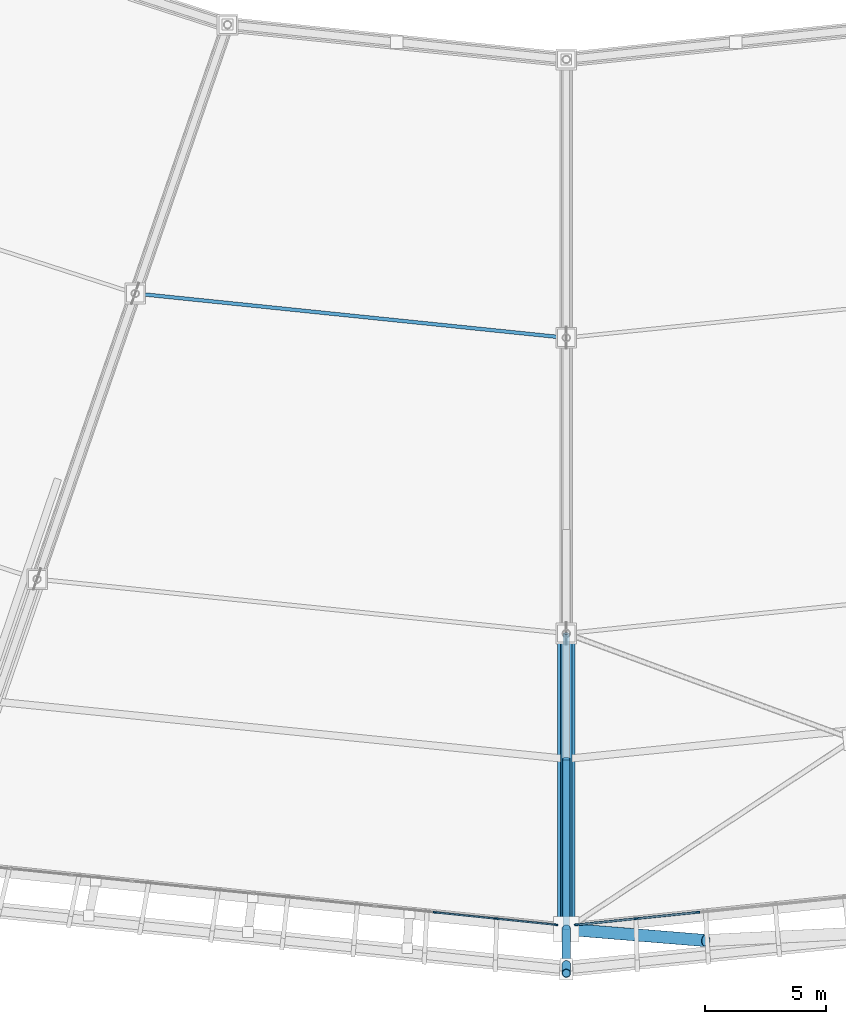
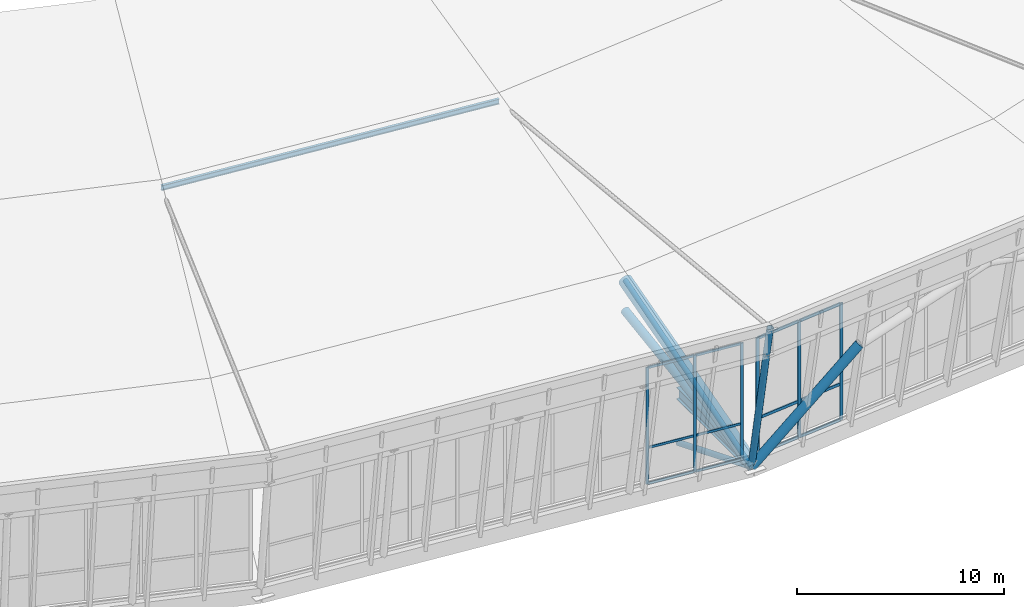
# One storey, part 16 of 115: 26 members, 1 beam, 2 elements without a shape of their own.
"""IFC4 building model written with IfcOpenShell, lengths in metres."""

from ifc_helpers import new_model, si_unit, direction, frame, origin, origin_2d, place, context, subcontext, project, spatial, rectangle, hollow_circle, i_section, extrude, material, material_profile, profile_set, type_object, element, aggregate, save


model = new_model("IFC4")

# Units and contexts
model_context = context("Model", 3, precision=1e-05, world=origin(), true_north=direction((0.0, 1.0)))
body_context = subcontext(model_context, "Body", "Model", "MODEL_VIEW")
ifc_project = project(units=[si_unit("LENGTHUNIT", "METRE"), si_unit("AREAUNIT", "SQUARE_METRE"), si_unit("VOLUMEUNIT", "CUBIC_METRE"), si_unit("PLANEANGLEUNIT", "RADIAN"), si_unit("MASSUNIT", "GRAM", prefix="KILO")], contexts=[model_context])

# Site, building, storey
site_placement = place(None, origin())
site = spatial("IfcSite", under=ifc_project, at=site_placement, CompositionType="ELEMENT")
building_placement = place(site_placement, origin())
building = spatial("IfcBuilding", under=site, at=building_placement, Name="Zlatoyarsky Gate Stadium", CompositionType="ELEMENT")
storey_placement = place(building_placement, frame((0.0, 0.0, 31.800048828125)))
storey = spatial("IfcBuildingStorey", under=building, at=storey_placement, Name="RF", CompositionType="ELEMENT", Elevation=31.800048828125)

# Curtain wall, members
ifc_material_1 = material(Name="Thermally broken anodised aluminium curtain wall", Category="aluminium")
curtain_wall_type_1 = type_object("IfcCurtainWallType", Name="MONUMENTAL ARCHED GATE GLAZING UPPER", PredefinedType="USERDEFINED", material=ifc_material_1)
curtain_wall_1_placement = place(storey_placement, origin())
curtain_wall_1 = element("IfcCurtainWall", 1, at=curtain_wall_1_placement, inside=storey, type_object=curtain_wall_type_1, Name="Curtain wall CW-RF-18", ObjectType="ARCHED GATE GLAZING", PredefinedType="USERDEFINED")
ifc_material_2 = material(Name="Anodised aluminium 6063-T6", Category="aluminium")
ifc_material_profile_1 = material_profile(ifc_material_2, rectangle(XDim=0.074951171875, YDim=0.18994140625, at=origin_2d()), Name="ALU 75X190")
ifc_profile_set_1 = profile_set([ifc_material_profile_1], Name="Anodised aluminium 6063-T6")
member_type_1 = type_object("IfcMemberType", Name="ALUMINIUM GATE MULLION 75X190", PredefinedType="MULLION", material=ifc_profile_set_1)
member_1_placement = place(storey_placement, frame((111.435302734375, 2.156982421875, 0.0), z_axis=(0.0, 0.0, 1.0), x_axis=(-0.102125168703, 0.994771556649, 0.0)))
member_1 = element("IfcMember", 2, at=member_1_placement, type_object=member_type_1, Name="CW-AG2 mullion 1", PredefinedType="MULLION", context=body_context, shape_type="SweptSolid", body=[
    extrude(rectangle(XDim=0.074951171875, YDim=0.18994140625, at=origin_2d()), origin(), (0.0, 0.0, 1.0), 6.89990234375),
])
member_2_placement = place(storey_placement, frame((113.903564453125, 2.410400390625, 0.0), z_axis=(0.0, 0.0, 1.0), x_axis=(-0.102125168703, 0.994771556649, 0.0)))
member_2 = element("IfcMember", 3, at=member_2_placement, type_object=member_type_1, Name="CW-AG2 mullion 2", PredefinedType="MULLION", context=body_context, shape_type="SweptSolid", body=[
    extrude(rectangle(XDim=0.074951171875, YDim=0.18994140625, at=origin_2d()), origin(), (0.0, 0.0, 1.0), 6.89990234375),
])
member_3_placement = place(storey_placement, frame((116.4091796875, 2.667724609375, 0.0), z_axis=(0.0, 0.0, 1.0), x_axis=(-0.102125168703, 0.994771556649, 0.0)))
member_3 = element("IfcMember", 4, at=member_3_placement, type_object=member_type_1, Name="CW-AG2 mullion 3", PredefinedType="MULLION", context=body_context, shape_type="SweptSolid", body=[
    extrude(rectangle(XDim=0.074951171875, YDim=0.18994140625, at=origin_2d()), origin(), (0.0, 0.0, 1.0), 6.89990234375),
])
ifc_material_profile_2 = material_profile(ifc_material_2, rectangle(XDim=0.074951171875, YDim=0.169921875, at=origin_2d()), Name="ALU 75X170")
ifc_profile_set_2 = profile_set([ifc_material_profile_2], Name="Anodised aluminium 6063-T6")
member_type_2 = type_object("IfcMemberType", Name="ALUMINIUM GATE TRANSOM 75X170", PredefinedType="USERDEFINED", material=ifc_profile_set_2)
member_4_placement = place(storey_placement, frame((111.472412109375, 2.160888671875, 0.037353515625), z_axis=(0.994777741442, 0.102064906465, 0.0), x_axis=(-0.102064906465, 0.994777741442, 0.0)))
member_4 = element("IfcMember", 5, at=member_4_placement, type_object=member_type_2, Name="CW-AG2 transom 1.1", ObjectType="TRANSOM", PredefinedType="USERDEFINED", context=body_context, shape_type="SweptSolid", body=[
    extrude(rectangle(XDim=0.074951171875, YDim=0.169921875, at=origin_2d()), origin(), (0.0, 0.0, 1.0), 2.40625),
])
member_5_placement = place(storey_placement, frame((111.472412109375, 2.160888671875, 2.14990234375), z_axis=(0.994777741442, 0.102064906465, 0.0), x_axis=(-0.102064906465, 0.994777741442, 0.0)))
member_5 = element("IfcMember", 6, at=member_5_placement, type_object=member_type_2, Name="CW-AG2 transom 1.2", ObjectType="TRANSOM", PredefinedType="USERDEFINED", context=body_context, shape_type="SweptSolid", body=[
    extrude(rectangle(XDim=0.074951171875, YDim=0.169921875, at=origin_2d()), origin(), (0.0, 0.0, 1.0), 2.40625),
])
member_6_placement = place(storey_placement, frame((111.472412109375, 2.160888671875, 6.862548828125), z_axis=(0.994777741442, 0.102064906465, 0.0), x_axis=(-0.102064906465, 0.994777741442, 0.0)))
member_6 = element("IfcMember", 7, at=member_6_placement, type_object=member_type_2, Name="CW-AG2 transom 1.3", ObjectType="TRANSOM", PredefinedType="USERDEFINED", context=body_context, shape_type="SweptSolid", body=[
    extrude(rectangle(XDim=0.074951171875, YDim=0.169921875, at=origin_2d()), origin(), (0.0, 0.0, 1.0), 2.40625),
])
member_7_placement = place(storey_placement, frame((113.94091796875, 2.414306640625, 0.037353515625), z_axis=(0.994774676967, 0.10209477002, 0.0), x_axis=(-0.10209477002, 0.994774676967, 0.0)))
member_7 = element("IfcMember", 8, at=member_7_placement, type_object=member_type_2, Name="CW-AG2 transom 2.1", ObjectType="TRANSOM", PredefinedType="USERDEFINED", context=body_context, shape_type="SweptSolid", body=[
    extrude(rectangle(XDim=0.074951171875, YDim=0.169921875, at=origin_2d()), origin(), (0.0, 0.0, 1.0), 2.44384765625),
])
member_8_placement = place(storey_placement, frame((113.94091796875, 2.414306640625, 2.14990234375), z_axis=(0.994774676967, 0.10209477002, 0.0), x_axis=(-0.10209477002, 0.994774676967, 0.0)))
member_8 = element("IfcMember", 9, at=member_8_placement, type_object=member_type_2, Name="CW-AG2 transom 2.2", ObjectType="TRANSOM", PredefinedType="USERDEFINED", context=body_context, shape_type="SweptSolid", body=[
    extrude(rectangle(XDim=0.074951171875, YDim=0.169921875, at=origin_2d()), origin(), (0.0, 0.0, 1.0), 2.44384765625),
])
member_9_placement = place(storey_placement, frame((113.94091796875, 2.414306640625, 6.862548828125), z_axis=(0.994774676967, 0.10209477002, 0.0), x_axis=(-0.10209477002, 0.994774676967, 0.0)))
member_9 = element("IfcMember", 10, at=member_9_placement, type_object=member_type_2, Name="CW-AG2 transom 2.3", ObjectType="TRANSOM", PredefinedType="USERDEFINED", context=body_context, shape_type="SweptSolid", body=[
    extrude(rectangle(XDim=0.074951171875, YDim=0.169921875, at=origin_2d()), origin(), (0.0, 0.0, 1.0), 2.44384765625),
])
aggregate(curtain_wall_1, [member_1, member_2, member_3, member_4, member_5, member_6, member_7, member_8, member_9])

curtain_wall_type_2 = type_object("IfcCurtainWallType", Name="UNITISED SKYBOX RING GLAZING L05", PredefinedType="USERDEFINED", material=ifc_material_1)
curtain_wall_2_placement = place(storey_placement, origin())
curtain_wall_2 = element("IfcCurtainWall", 11, at=curtain_wall_2_placement, inside=storey, type_object=curtain_wall_type_2, Name="Curtain wall CW-RF-17", ObjectType="UNITISED GLAZING", PredefinedType="USERDEFINED")
ifc_material_profile_3 = material_profile(ifc_material_2, rectangle(XDim=0.06494140625, YDim=0.159912109375, at=origin_2d()), Name="ALU 65X160")
ifc_profile_set_3 = profile_set([ifc_material_profile_3], Name="Anodised aluminium 6063-T6")
member_type_3 = type_object("IfcMemberType", Name="ALUMINIUM MULLION 65X160", PredefinedType="MULLION", material=ifc_profile_set_3)
member_10_placement = place(storey_placement, frame((105.5908203125, 2.667724609375, 0.0), z_axis=(0.0, 0.0, 1.0), x_axis=(0.102125168703, 0.994771556649, 0.0)))
member_10 = element("IfcMember", 12, at=member_10_placement, type_object=member_type_3, Name="CW-UG5 mullion 9", PredefinedType="MULLION", context=body_context, shape_type="SweptSolid", body=[
    extrude(rectangle(XDim=0.06494140625, YDim=0.159912109375, at=origin_2d()), origin(), (0.0, 0.0, 1.0), 6.89990234375),
])
member_11_placement = place(storey_placement, frame((108.096435546875, 2.410400390625, 0.0), z_axis=(0.0, 0.0, 1.0), x_axis=(0.102125168703, 0.994771556649, 0.0)))
member_11 = element("IfcMember", 13, at=member_11_placement, type_object=member_type_3, Name="CW-UG5 mullion 10", PredefinedType="MULLION", context=body_context, shape_type="SweptSolid", body=[
    extrude(rectangle(XDim=0.06494140625, YDim=0.159912109375, at=origin_2d()), origin(), (0.0, 0.0, 1.0), 6.89990234375),
])
member_12_placement = place(storey_placement, frame((110.56982421875, 2.156494140625, 0.0), z_axis=(0.0, 0.0, 1.0), x_axis=(0.102125168703, 0.994771556649, 0.0)))
member_12 = element("IfcMember", 14, at=member_12_placement, type_object=member_type_3, Name="CW-UG5 mullion 11", PredefinedType="MULLION", context=body_context, shape_type="SweptSolid", body=[
    extrude(rectangle(XDim=0.06494140625, YDim=0.159912109375, at=origin_2d()), origin(), (0.0, 0.0, 1.0), 6.89990234375),
])
ifc_material_profile_4 = material_profile(ifc_material_2, rectangle(XDim=0.06494140625, YDim=0.139892578125, at=origin_2d()), Name="ALU 65X140")
ifc_profile_set_4 = profile_set([ifc_material_profile_4], Name="Anodised aluminium 6063-T6")
member_type_4 = type_object("IfcMemberType", Name="ALUMINIUM TRANSOM 65X140", PredefinedType="USERDEFINED", material=ifc_profile_set_4)
member_13_placement = place(storey_placement, frame((105.623046875, 2.664306640625, 0.032470703125), z_axis=(0.994775740393, -0.102084407846, 0.0), x_axis=(0.102084407846, 0.994775740393, 0.0)))
member_13 = element("IfcMember", 15, at=member_13_placement, type_object=member_type_4, Name="CW-UG5 transom 9.1", ObjectType="TRANSOM", PredefinedType="USERDEFINED", context=body_context, shape_type="SweptSolid", body=[
    extrude(rectangle(XDim=0.06494140625, YDim=0.139892578125, at=origin_2d()), origin(), (0.0, 0.0, 1.0), 2.453857421875),
])
member_14_placement = place(storey_placement, frame((105.623046875, 2.664306640625, 2.14990234375), z_axis=(0.994775740393, -0.102084407846, 0.0), x_axis=(0.102084407846, 0.994775740393, 0.0)))
member_14 = element("IfcMember", 16, at=member_14_placement, type_object=member_type_4, Name="CW-UG5 transom 9.2", ObjectType="TRANSOM", PredefinedType="USERDEFINED", context=body_context, shape_type="SweptSolid", body=[
    extrude(rectangle(XDim=0.06494140625, YDim=0.139892578125, at=origin_2d()), origin(), (0.0, 0.0, 1.0), 2.453857421875),
])
member_15_placement = place(storey_placement, frame((105.623046875, 2.664306640625, 6.867431640625), z_axis=(0.994775740393, -0.102084407846, 0.0), x_axis=(0.102084407846, 0.994775740393, 0.0)))
member_15 = element("IfcMember", 17, at=member_15_placement, type_object=member_type_4, Name="CW-UG5 transom 9.3", ObjectType="TRANSOM", PredefinedType="USERDEFINED", context=body_context, shape_type="SweptSolid", body=[
    extrude(rectangle(XDim=0.06494140625, YDim=0.139892578125, at=origin_2d()), origin(), (0.0, 0.0, 1.0), 2.453857421875),
])
member_16_placement = place(storey_placement, frame((108.128662109375, 2.4072265625, 0.032470703125), z_axis=(0.994770149226, -0.102138877069, 0.0), x_axis=(0.102138877069, 0.994770149226, 0.0)))
member_16 = element("IfcMember", 18, at=member_16_placement, type_object=member_type_4, Name="CW-UG5 transom 10.1", ObjectType="TRANSOM", PredefinedType="USERDEFINED", context=body_context, shape_type="SweptSolid", body=[
    extrude(rectangle(XDim=0.06494140625, YDim=0.139892578125, at=origin_2d()), origin(), (0.0, 0.0, 1.0), 2.42138671875),
])
member_17_placement = place(storey_placement, frame((108.128662109375, 2.4072265625, 2.14990234375), z_axis=(0.994770149226, -0.102138877069, 0.0), x_axis=(0.102138877069, 0.994770149226, 0.0)))
member_17 = element("IfcMember", 19, at=member_17_placement, type_object=member_type_4, Name="CW-UG5 transom 10.2", ObjectType="TRANSOM", PredefinedType="USERDEFINED", context=body_context, shape_type="SweptSolid", body=[
    extrude(rectangle(XDim=0.06494140625, YDim=0.139892578125, at=origin_2d()), origin(), (0.0, 0.0, 1.0), 2.42138671875),
])
member_18_placement = place(storey_placement, frame((108.128662109375, 2.4072265625, 6.867431640625), z_axis=(0.994770149226, -0.102138877069, 0.0), x_axis=(0.102138877069, 0.994770149226, 0.0)))
member_18 = element("IfcMember", 20, at=member_18_placement, type_object=member_type_4, Name="CW-UG5 transom 10.3", ObjectType="TRANSOM", PredefinedType="USERDEFINED", context=body_context, shape_type="SweptSolid", body=[
    extrude(rectangle(XDim=0.06494140625, YDim=0.139892578125, at=origin_2d()), origin(), (0.0, 0.0, 1.0), 2.42138671875),
])
aggregate(curtain_wall_2, [member_10, member_11, member_12, member_13, member_14, member_15, member_16, member_17, member_18])

# Members
ifc_material_3 = material(Name="Steel S355", Category="steel")
ifc_material_profile_5 = material_profile(ifc_material_3, hollow_circle(Radius=0.228515625, WallThickness=0.02490234375, at=origin_2d()), Name="CHS 457X25")
ifc_profile_set_5 = profile_set([ifc_material_profile_5], Name="Steel S355")
member_type_5 = type_object("IfcMemberType", Name="STEEL ARCH BOTTOM CHORD CHS 457X25", PredefinedType="CHORD", material=ifc_profile_set_5)
member_19_placement = place(storey_placement, frame((111.0, 1.972412109375, -0.449951171875), z_axis=(0.0, 0.989298888585, 0.145903080996), x_axis=(-1.0, 0.0, 0.0)))
element("IfcMember", 21, at=member_19_placement, inside=storey, type_object=member_type_5, Name="Radial truss R19 bottom chord 1", PredefinedType="CHORD", context=body_context, shape_type="SweptSolid", body=[
    extrude(hollow_circle(Radius=0.228515625, WallThickness=0.02490234375, at=origin_2d()), origin(), (0.0, 0.0, 1.0), 12.335693359375),
])
ifc_material_profile_6 = material_profile(ifc_material_3, hollow_circle(Radius=0.25390625, WallThickness=0.02490234375, at=origin_2d()), Name="CHS 508X25")
ifc_profile_set_6 = profile_set([ifc_material_profile_6], Name="Steel S355")
member_type_6 = type_object("IfcMemberType", Name="STEEL ARCH TOP CHORD CHS 508X25", PredefinedType="CHORD", material=ifc_profile_set_6)
member_20_placement = place(storey_placement, frame((111.0, 1.972412109375, -0.449951171875), z_axis=(0.721755487905, -0.058837597988, 0.689642771834), x_axis=(0.081250595925, 0.996693704536, 0.0)))
element("IfcMember", 22, at=member_20_placement, inside=storey, type_object=member_type_6, Name="Monumental gate portal arch chord 18-1", PredefinedType="CHORD", context=body_context, shape_type="SweptSolid", body=[
    extrude(hollow_circle(Radius=0.25390625, WallThickness=0.02490234375, at=origin_2d()), origin(), (0.0, 0.0, 1.0), 7.97509765625),
])
ifc_material_profile_7 = material_profile(ifc_material_3, hollow_circle(Radius=0.35546875, WallThickness=0.031982421875, at=origin_2d()), Name="CHS 711X32")
ifc_profile_set_7 = profile_set([ifc_material_profile_7], Name="Steel S355")
member_type_7 = type_object("IfcMemberType", Name="STEEL ARCH TOP CHORD CHS 711X32", PredefinedType="CHORD", material=ifc_profile_set_7)
member_21_placement = place(storey_placement, frame((111.0, 1.972412109375, -0.25), z_axis=(0.0, 0.96331386973, 0.268377324648), x_axis=(-1.0, 0.0, 0.0)))
element("IfcMember", 23, at=member_21_placement, inside=storey, type_object=member_type_7, Name="Radial truss R19 top chord 1", PredefinedType="CHORD", context=body_context, shape_type="SweptSolid", body=[
    extrude(hollow_circle(Radius=0.35546875, WallThickness=0.031982421875, at=origin_2d()), origin(), (0.0, 0.0, 1.0), 12.66845703125),
])
ifc_material_profile_8 = material_profile(ifc_material_3, i_section(OverallWidth=0.14990234375, OverallDepth=0.300048828125, WebThickness=0.007080078125, FlangeThickness=0.0107421875, FilletRadius=0.014892578125, at=origin_2d()), Name="IPE 300")
ifc_profile_set_8 = profile_set([ifc_material_profile_8], Name="Steel S355")
member_type_8 = type_object("IfcMemberType", Name="STEEL BOWL ROOF PURLIN IPE 300", PredefinedType="PURLIN", material=ifc_profile_set_8)
member_22_placement = place(storey_placement, frame((93.208984375, 28.20654296875, 6.329833984375), z_axis=(0.99476764542, -0.102163259665, 0.0), x_axis=(0.102163259665, 0.99476764542, 0.0)))
element("IfcMember", 24, at=member_22_placement, inside=storey, type_object=member_type_8, Name="Stadium roof purlin 17.2", PredefinedType="PURLIN", context=body_context, shape_type="SweptSolid", body=[
    extrude(i_section(OverallWidth=0.14990234375, OverallDepth=0.300048828125, WebThickness=0.007080078125, FlangeThickness=0.0107421875, FilletRadius=0.014892578125, at=origin_2d()), origin(), (0.0, 0.0, 1.0), 17.884521484375),
])
ifc_material_profile_9 = material_profile(ifc_material_3, hollow_circle(Radius=0.177734375, WallThickness=0.02001953125, at=origin_2d()), Name="CHS 355.6X20")
ifc_profile_set_9 = profile_set([ifc_material_profile_9], Name="Steel S355")
member_type_9 = type_object("IfcMemberType", Name="STEEL LEANING RIB RING STRUT CHS 355.6X20", PredefinedType="STRUT", material=ifc_profile_set_9)
member_23_placement = place(storey_placement, frame((111.0, 1.972412109375, -0.449951171875), z_axis=(0.0, -0.189627638022, 0.981856078506), x_axis=(1.0, 0.0, 0.0)))
element("IfcMember", 25, at=member_23_placement, inside=storey, type_object=member_type_9, Name="Outward-leaning crown fascia lower post 18", PredefinedType="STRUT", context=body_context, shape_type="SweptSolid", body=[
    extrude(hollow_circle(Radius=0.177734375, WallThickness=0.02001953125, at=origin_2d()), origin(), (0.0, 0.0, 1.0), 7.740234375),
])
member_24_placement = place(storey_placement, frame((111.0, 0.504638671875, 7.14990234375), z_axis=(0.0, -0.201037606768, 0.979583524088), x_axis=(1.0, 0.0, 0.0)))
element("IfcMember", 26, at=member_24_placement, inside=storey, type_object=member_type_9, Name="Outward-leaning crown fascia upper post 18", PredefinedType="STRUT", context=body_context, shape_type="SweptSolid", body=[
    extrude(hollow_circle(Radius=0.177734375, WallThickness=0.02001953125, at=origin_2d()), origin(), (0.0, 0.0, 1.0), 1.7353515625),
])

# Beam
ifc_material_profile_10 = material_profile(ifc_material_3, i_section(OverallWidth=0.300048828125, OverallDepth=0.699951171875, WebThickness=0.01708984375, FlangeThickness=0.031982421875, FilletRadius=0.027099609375, at=origin_2d()), Name="HEB 700")
ifc_profile_set_10 = profile_set([ifc_material_profile_10], Name="Steel S355")
beam_type = type_object("IfcBeamType", Name="STEEL ROOF RING GIRDER HEB 700", PredefinedType="BEAM", material=ifc_profile_set_10)
beam_placement = place(storey_placement, frame((111.0, 8.9599609375, -0.300048828125), z_axis=(0.0, -1.0, 0.0), x_axis=(1.0, 0.0, 0.0)))
element("IfcBeam", 27, at=beam_placement, inside=storey, type_object=beam_type, Name="RF roof tie girder BM-RF-COUT-18", PredefinedType="BEAM", context=body_context, shape_type="SweptSolid", body=[
    extrude(i_section(OverallWidth=0.300048828125, OverallDepth=0.699951171875, WebThickness=0.01708984375, FlangeThickness=0.031982421875, FilletRadius=0.027099609375, at=origin_2d()), origin(), (0.0, 0.0, 1.0), 6.987548828125),
])

# Members
ifc_material_profile_11 = material_profile(ifc_material_3, hollow_circle(Radius=0.136474609375, WallThickness=0.01611328125, at=origin_2d()), Name="CHS 273X16")
ifc_profile_set_11 = profile_set([ifc_material_profile_11], Name="Steel S355")
member_type_10 = type_object("IfcMemberType", Name="STEEL ROOF TRUSS DIAGONAL CHS 273X16", PredefinedType="BRACE", material=ifc_profile_set_11)
member_25_placement = place(storey_placement, frame((111.0, 1.972412109375, -0.449951171875), z_axis=(0.0, 0.959140622619, 0.282929789952), x_axis=(-1.0, 0.0, 0.0)))
element("IfcMember", 28, at=member_25_placement, inside=storey, type_object=member_type_10, Name="Radial truss R19 web diagonal 1", PredefinedType="BRACE", context=body_context, shape_type="SweptSolid", body=[
    extrude(hollow_circle(Radius=0.136474609375, WallThickness=0.01611328125, at=origin_2d()), origin(), (0.0, 0.0, 1.0), 12.723388671875),
])
ifc_material_profile_12 = material_profile(ifc_material_3, hollow_circle(Radius=0.161865234375, WallThickness=0.01611328125, at=origin_2d()), Name="CHS 323.9X16")
ifc_profile_set_12 = profile_set([ifc_material_profile_12], Name="Steel S355")
member_type_11 = type_object("IfcMemberType", Name="STEEL TRUSS WEB STRUT CHS 323.9X16", PredefinedType="STRUT", material=ifc_profile_set_12)
member_26_placement = place(storey_placement, frame((111.0, 9.0, -3.300048828125), z_axis=(0.0, -0.926689879349, 0.375826911639), x_axis=(1.0, 0.0, 0.0)))
element("IfcMember", 29, at=member_26_placement, inside=storey, type_object=member_type_11, Name="Arch heel prop 18", PredefinedType="STRUT", context=body_context, shape_type="SweptSolid", body=[
    extrude(hollow_circle(Radius=0.161865234375, WallThickness=0.01611328125, at=origin_2d()), origin(), (0.0, 0.0, 1.0), 7.58349609375),
])

save(model, "model.ifc")
